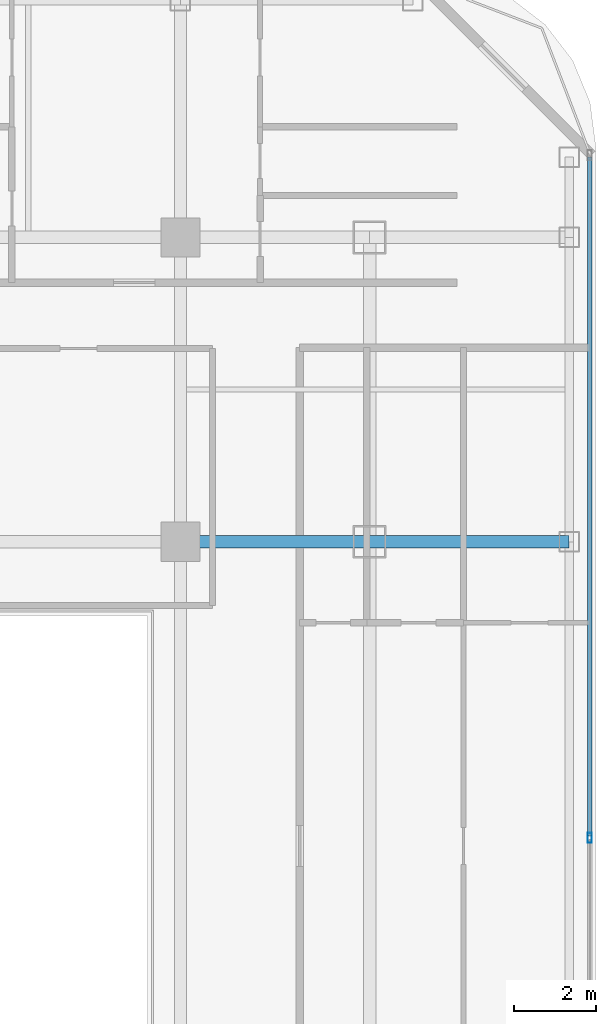
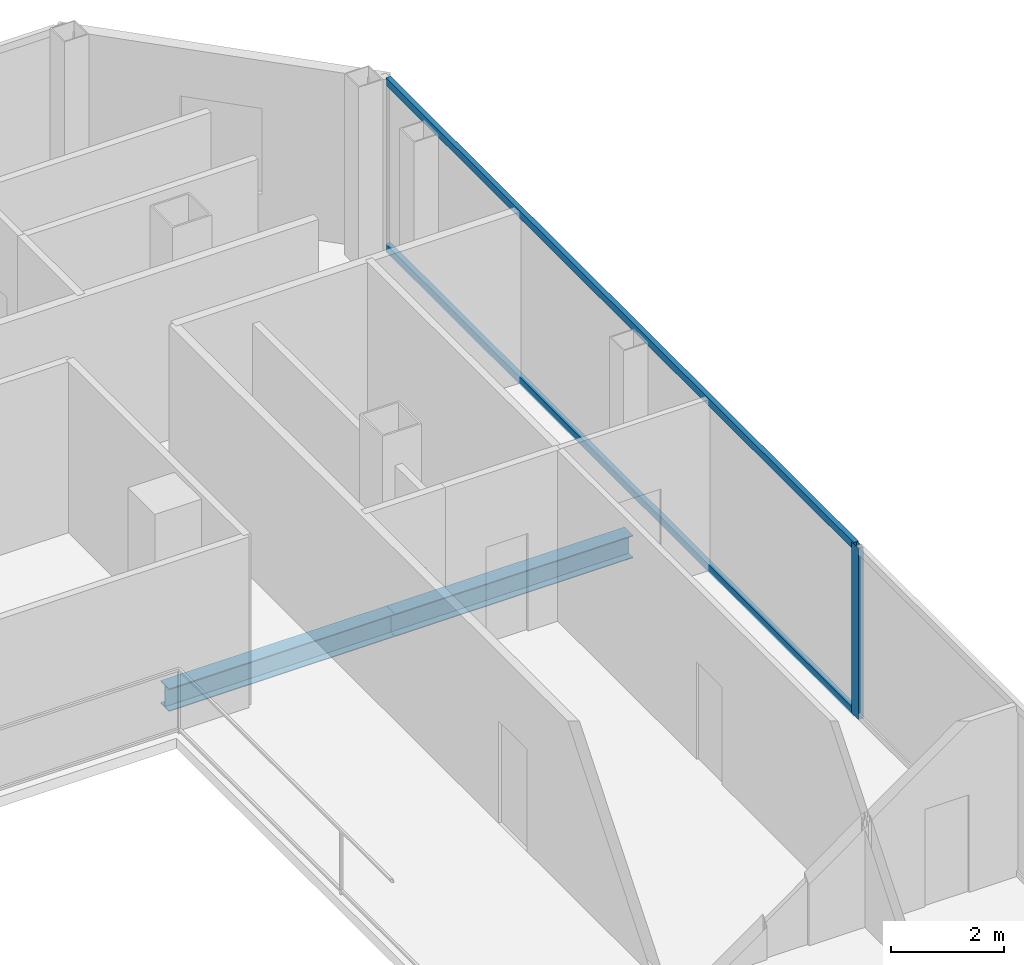
# One storey, part 9 of 22: 3 members, 2 beams, 1 element without a shape of its own.
"""IFC4 building model written with IfcOpenShell, lengths in metres."""

import ifcopenshell
import ifcopenshell.guid

model = None  # the IFC model being written
_history = None  # IfcOwnerHistory: only IFC2X3 demands one
_inside = {}  # id of a spatial element -> (the spatial element, [elements in it])
_under = {}  # id of a project, library or spatial element -> (it, [spatial elements below it])
_declared = {}  # id of a project -> (the project, [libraries it declares])
_typed = {}  # id of a type object -> (the type object, [elements of that type])
_made_of = {}  # id of a material, layer set ... -> (it, [elements and type objects made of it])


def new_model(schema):
    """Start an empty IFC model of exactly this schema.

    Asked for "IFC4X3", IfcOpenShell would pick the latest addendum, in which some entities
    have other attributes; the version numbers below select the first issue.
    IFC2X3 requires an IfcOwnerHistory on every rooted entity: one is made here for all.
    """
    global model, _history
    if schema == "IFC4X3":
        model = ifcopenshell.file(schema_version=(4, 3, 0, 0))
    else:
        model = ifcopenshell.file(schema=schema)
    _inside.clear()
    _under.clear()
    _declared.clear()
    _typed.clear()
    _made_of.clear()
    _history = None
    if model.schema == "IFC2X3":
        org = make("IfcOrganization", Name="unknown")
        user = make(
            "IfcPersonAndOrganization",
            ThePerson=make("IfcPerson", FamilyName="unknown"),
            TheOrganization=org,
        )
        app = make(
            "IfcApplication",
            ApplicationDeveloper=org,
            Version="unknown",
            ApplicationFullName="unknown",
            ApplicationIdentifier="unknown",
        )
        _history = make(
            "IfcOwnerHistory",
            OwningUser=user,
            OwningApplication=app,
            ChangeAction="ADDED",
            CreationDate=0,
        )
    return model


def make(cls, **values):
    """One entity of the class cls with the attributes given. An attribute that is None is left unset."""
    return model.create_entity(
        cls, **{name: value for name, value in values.items() if value is not None}
    )


def rooted(cls, **values):
    """An entity with a GlobalId (a new one), such as an element, a storey or a relation."""
    return make(cls, GlobalId=ifcopenshell.guid.new(), OwnerHistory=_history, **values)


def si_unit(unit_type, name, prefix=None):
    """IfcSIUnit, for example si_unit("LENGTHUNIT", "METRE", prefix="MILLI")."""
    return make("IfcSIUnit", UnitType=unit_type, Prefix=prefix, Name=name)


def assignment(units):
    """IfcUnitAssignment: the units of a project."""
    return None if units is None else make("IfcUnitAssignment", Units=units)


def point(xyz):
    """IfcCartesianPoint."""
    return None if xyz is None else make("IfcCartesianPoint", Coordinates=xyz)


def direction(xyz):
    """IfcDirection."""
    return None if xyz is None else make("IfcDirection", DirectionRatios=xyz)


def frame(location, z_axis=None, x_axis=None):
    """IfcAxis2Placement3D, a coordinate frame: its origin and axes. An axis left out is left unset."""
    return make(
        "IfcAxis2Placement3D",
        Location=point(location),
        Axis=direction(z_axis),
        RefDirection=direction(x_axis),
    )


def frame_2d(location, x_axis=None):
    """IfcAxis2Placement2D, a coordinate frame in the plane: its origin and x axis."""
    return make(
        "IfcAxis2Placement2D", Location=point(location), RefDirection=direction(x_axis)
    )


def origin():
    """The frame at (0, 0, 0) with its axes left unset."""
    return frame((0.0, 0.0, 0.0))


def origin_2d():
    """The frame at (0, 0) in the plane with its x axis left unset."""
    return frame_2d((0.0, 0.0))


def place(relative_to, where):
    """IfcLocalPlacement: puts the frame where relative to a parent placement (None: the world)."""
    return make(
        "IfcLocalPlacement", PlacementRelTo=relative_to, RelativePlacement=where
    )


def context(
    kind, dimensions, precision=None, world=None, true_north=None, identifier=None
):
    """IfcGeometricRepresentationContext, for example the 3D "Model" context."""
    return make(
        "IfcGeometricRepresentationContext",
        ContextIdentifier=identifier,
        ContextType=kind,
        CoordinateSpaceDimension=dimensions,
        Precision=precision,
        WorldCoordinateSystem=world,
        TrueNorth=true_north,
    )


def subcontext(parent, identifier, kind, view, scale=None):
    """IfcGeometricRepresentationSubContext, for example "Body" below "Model"."""
    return make(
        "IfcGeometricRepresentationSubContext",
        ContextIdentifier=identifier,
        ContextType=kind,
        ParentContext=parent,
        TargetScale=scale,
        TargetView=view,
    )


def project(units=None, contexts=None):
    """IfcProject with its units and contexts."""
    return rooted(
        "IfcProject",
        Name="project",
        RepresentationContexts=contexts,
        UnitsInContext=assignment(units),
    )


def spatial(cls, under=None, at=None, **own):
    """A site, building, storey or space (cls), placed at a placement, below another one or the project."""
    s = rooted(cls, ObjectPlacement=at, **own)
    if under is not None:
        _under.setdefault(under.id(), (under, []))[1].append(s)
    return s


def profile(cls, at=None, kind="AREA", **sizes):
    """A parametric profile (cls). Its sizes go by their IFC names, for example OverallWidth=200.0."""
    return make(cls, ProfileType=kind, Position=at, **sizes)


def hollow_rectangle(**sizes):
    """IfcRectangleHollowProfileDef."""
    return profile("IfcRectangleHollowProfileDef", **sizes)


def i_section(**sizes):
    """IfcIShapeProfileDef."""
    return profile("IfcIShapeProfileDef", **sizes)


def extrude(swept, where, along, depth):
    """IfcExtrudedAreaSolid: the profile swept, set in the frame where, extruded along a direction by depth."""
    return make(
        "IfcExtrudedAreaSolid",
        SweptArea=swept,
        Position=where,
        ExtrudedDirection=direction(along),
        Depth=depth,
    )


def shape(context_of_items, identifier, shape_type, items):
    """IfcShapeRepresentation: the items that make up one representation, for example the "Body"."""
    return make(
        "IfcShapeRepresentation",
        ContextOfItems=context_of_items,
        RepresentationIdentifier=identifier,
        RepresentationType=shape_type,
        Items=items,
    )


def material(Name=None, Category=None):
    """IfcMaterial."""
    return make("IfcMaterial", Name=Name, Category=Category)


def layer(
    of_material, thickness, ventilated=None, Name=None, Category=None, Priority=None
):
    """IfcMaterialLayer: one layer of a wall or slab, of a material (None: an air gap)."""
    return make(
        "IfcMaterialLayer",
        Material=of_material,
        LayerThickness=thickness,
        IsVentilated=ventilated,
        Name=Name,
        Category=Category,
        Priority=Priority,
    )


def layer_set(layers, Name=None):
    """IfcMaterialLayerSet."""
    return make("IfcMaterialLayerSet", MaterialLayers=layers, LayerSetName=Name)


def material_profile(
    of_material, cross_section, Name=None, Category=None, Priority=None
):
    """IfcMaterialProfile: a cross section and its material."""
    return make(
        "IfcMaterialProfile",
        Name=Name,
        Material=of_material,
        Profile=cross_section,
        Priority=Priority,
        Category=Category,
    )


def profile_set(profiles, Name=None, composite=None):
    """IfcMaterialProfileSet."""
    return make(
        "IfcMaterialProfileSet",
        Name=Name,
        MaterialProfiles=profiles,
        CompositeProfile=composite,
    )


def made_of(thing, what):
    """Note that an element or type object is made of a material, layer set ...; save() writes the relation."""
    if what is not None:
        _made_of.setdefault(what.id(), (what, []))[1].append(thing)
    return thing


def type_object(cls, material=None, **own):
    """A type object (cls), such as IfcWallType, which elements share."""
    return made_of(rooted(cls, **own), material)


def element(
    cls,
    number,
    at=None,
    inside=None,
    cuts=None,
    type_object=None,
    material=None,
    context=None,
    identifier="Body",
    shape_type=None,
    held_by="IfcProductDefinitionShape",
    body=None,
    shapes=None,
    **own,
):
    """One element of the class cls, such as IfcWall. Its Tag is "e" and its number.

    at: its placement. inside: the storey or other place that contains it. cuts: it is an
    opening in that element (IfcRelVoidsElement). A single representation is given by context,
    identifier, shape_type and body (its items); several are given by shapes. held_by: the class
    of the entity that holds the representations. save() writes the other relations.
    """
    e = rooted(cls, Tag="e%d" % number, ObjectPlacement=at, **own)
    if body is not None:
        shapes = [shape(context, identifier, shape_type, body)]
    if shapes is not None:
        e.Representation = make(held_by, Representations=shapes)
    if inside is not None:
        _inside.setdefault(inside.id(), (inside, []))[1].append(e)
    if cuts is not None:
        rooted(
            "IfcRelVoidsElement", RelatingBuildingElement=cuts, RelatedOpeningElement=e
        )
    if type_object is not None:
        _typed.setdefault(type_object.id(), (type_object, []))[1].append(e)
    return made_of(e, material)


def aggregate(whole, parts):
    """IfcRelAggregates: a whole, such as a stair, and the parts it consists of."""
    return rooted("IfcRelAggregates", RelatingObject=whole, RelatedObjects=parts)


def save(model, path):
    """Write the relations noted so far, then the file.

    IfcRelAggregates (storeys below a building ...), IfcRelContainedInSpatialStructure (elements
    in a storey), IfcRelDefinesByType, IfcRelAssociatesMaterial and IfcRelDeclares: one each for
    every whole, place, type object, material and project.
    """
    for whole, parts in _under.values():
        aggregate(whole, parts)
    for where, things in _inside.values():
        rooted(
            "IfcRelContainedInSpatialStructure",
            RelatedElements=things,
            RelatingStructure=where,
        )
    for kind, things in _typed.values():
        rooted("IfcRelDefinesByType", RelatedObjects=things, RelatingType=kind)
    for what, things in _made_of.values():
        rooted("IfcRelAssociatesMaterial", RelatedObjects=things, RelatingMaterial=what)
    for by, libraries in _declared.values():
        rooted("IfcRelDeclares", RelatingContext=by, RelatedDefinitions=libraries)
    model.write(path)


model = new_model("IFC4")

# Units and contexts
model_context = context("Model", 3, precision=1e-05, world=origin(), true_north=direction((0.0, 1.0)))
body_context = subcontext(model_context, "Body", "Model", "MODEL_VIEW")
ifc_project = project(units=[si_unit("LENGTHUNIT", "METRE"), si_unit("AREAUNIT", "SQUARE_METRE"), si_unit("VOLUMEUNIT", "CUBIC_METRE"), si_unit("PLANEANGLEUNIT", "RADIAN"), si_unit("MASSUNIT", "GRAM", prefix="KILO")], contexts=[model_context])

# Site, building, storey
site_placement = place(None, origin())
site = spatial("IfcSite", under=ifc_project, at=site_placement, CompositionType="ELEMENT")
building_placement = place(site_placement, origin())
building = spatial("IfcBuilding", under=site, at=building_placement, Name="Khorvyn Point Tower", CompositionType="ELEMENT")
storey_placement = place(building_placement, frame((0.0, 0.0, 278.10009765625)))
storey = spatial("IfcBuildingStorey", under=building, at=storey_placement, Name="L68", CompositionType="ELEMENT", Elevation=278.10009765625)

# Curtain wall, members
ifc_material_1 = material(Name="Anodised aluminium 6063-T6 and laminated Low-E glass", Category="aluminium")
ifc_layer = layer(ifc_material_1, 0.18994140625)
ifc_layer_set = layer_set([ifc_layer], Name="Stick-Built High-Wind Curtain Wall CW-SYS-04")
curtain_wall_type = type_object("IfcCurtainWallType", Name="Stick-Built High-Wind Curtain Wall CW-SYS-04", PredefinedType="NOTDEFINED", material=ifc_layer_set)
curtain_wall_placement = place(storey_placement, origin())
curtain_wall = element("IfcCurtainWall", 1, at=curtain_wall_placement, inside=storey, type_object=curtain_wall_type, Name="Curtain Wall", PredefinedType="NOTDEFINED")
ifc_material_2 = material(Name="Anodised aluminium 6063-T6", Category="aluminium")
ifc_material_profile_1 = material_profile(ifc_material_2, hollow_rectangle(XDim=0.10009765625, YDim=0.239990234375, WallThickness=0.0048828125, at=origin_2d()))
ifc_profile_set_1 = profile_set([ifc_material_profile_1], Name="Anodised aluminium 6063-T6 ALU-MUL-100x240")
member_type_1 = type_object("IfcMemberType", Name="Anodised Aluminium 6063-T6 Mullion ALU-MUL-100x240", PredefinedType="MULLION", material=ifc_profile_set_1)
member_1_placement = place(storey_placement, frame((24.75, 0.199951171875, 0.0), z_axis=(0.0, 0.0, 1.0), x_axis=(1.0, 0.0, 0.0)))
member_1 = element("IfcMember", 2, at=member_1_placement, type_object=member_type_1, Name="Transom", PredefinedType="MULLION", context=body_context, shape_type="SweptSolid", body=[
    extrude(hollow_rectangle(XDim=0.10009765625, YDim=0.239990234375, WallThickness=0.0048828125, at=origin_2d()), origin(), (0.0, 0.0, 1.0), 3.679931640625),
])
ifc_material_profile_2 = material_profile(ifc_material_2, hollow_rectangle(XDim=0.10009765625, YDim=0.159912109375, WallThickness=0.00439453125, at=origin_2d()))
ifc_profile_set_2 = profile_set([ifc_material_profile_2], Name="Anodised aluminium 6063-T6 ALU-TRN-100x160")
member_type_2 = type_object("IfcMemberType", Name="Anodised Aluminium 6063-T6 Transom ALU-TRN-100x160", PredefinedType="USERDEFINED", material=ifc_profile_set_2)
member_2_placement = place(storey_placement, frame((24.75, 16.75, 0.0498046875), z_axis=(0.0, -1.0, 0.0), x_axis=(1.0, 0.0, 0.0)))
member_2 = element("IfcMember", 3, at=member_2_placement, type_object=member_type_2, Name="Transom", ObjectType="TRANSOM", PredefinedType="USERDEFINED", context=body_context, shape_type="SweptSolid", body=[
    extrude(hollow_rectangle(XDim=0.10009765625, YDim=0.159912109375, WallThickness=0.00439453125, at=origin_2d()), origin(), (0.0, 0.0, 1.0), 16.5),
])
member_3_placement = place(storey_placement, frame((24.75, 16.75, 3.6298828125), z_axis=(0.0, -1.0, 0.0), x_axis=(1.0, 0.0, 0.0)))
member_3 = element("IfcMember", 4, at=member_3_placement, type_object=member_type_2, Name="Transom", ObjectType="TRANSOM", PredefinedType="USERDEFINED", context=body_context, shape_type="SweptSolid", body=[
    extrude(hollow_rectangle(XDim=0.10009765625, YDim=0.159912109375, WallThickness=0.00439453125, at=origin_2d()), origin(), (0.0, 0.0, 1.0), 16.5),
])
aggregate(curtain_wall, [member_1, member_2, member_3])

# Beams
ifc_material_3 = material(Name="Steel S355", Category="steel")
ifc_material_profile_3 = material_profile(ifc_material_3, i_section(OverallWidth=0.300048828125, OverallDepth=0.488037109375, WebThickness=0.010986328125, FlangeThickness=0.01806640625, at=origin_2d()))
ifc_profile_set_3 = profile_set([ifc_material_profile_3], Name="Steel S355 H488x300x11x18")
beam_type = type_object("IfcBeamType", Name="Steel S355 Spandrel H488x300x11x18", PredefinedType="SPANDREL", material=ifc_profile_set_3)
beam_1_placement = place(storey_placement, frame((14.800048828125, 7.39990234375, -0.464111328125), z_axis=(1.0, 0.0, 0.0), x_axis=(0.0, 1.0, 0.0)))
element("IfcBeam", 5, at=beam_1_placement, inside=storey, type_object=beam_type, Name="Beam", PredefinedType="SPANDREL", context=body_context, shape_type="SweptSolid", body=[
    extrude(i_section(OverallWidth=0.300048828125, OverallDepth=0.488037109375, WebThickness=0.010986328125, FlangeThickness=0.01806640625, at=origin_2d()), origin(), (0.0, 0.0, 1.0), 4.599853515625),
])
beam_2_placement = place(storey_placement, frame((19.39990234375, 7.39990234375, -0.464111328125), z_axis=(1.0, 0.0, 0.0), x_axis=(0.0, 1.0, 0.0)))
element("IfcBeam", 6, at=beam_2_placement, inside=storey, type_object=beam_type, Name="Beam", PredefinedType="SPANDREL", context=body_context, shape_type="SweptSolid", body=[
    extrude(i_section(OverallWidth=0.300048828125, OverallDepth=0.488037109375, WebThickness=0.010986328125, FlangeThickness=0.01806640625, at=origin_2d()), origin(), (0.0, 0.0, 1.0), 4.85009765625),
])

save(model, "model.ifc")
